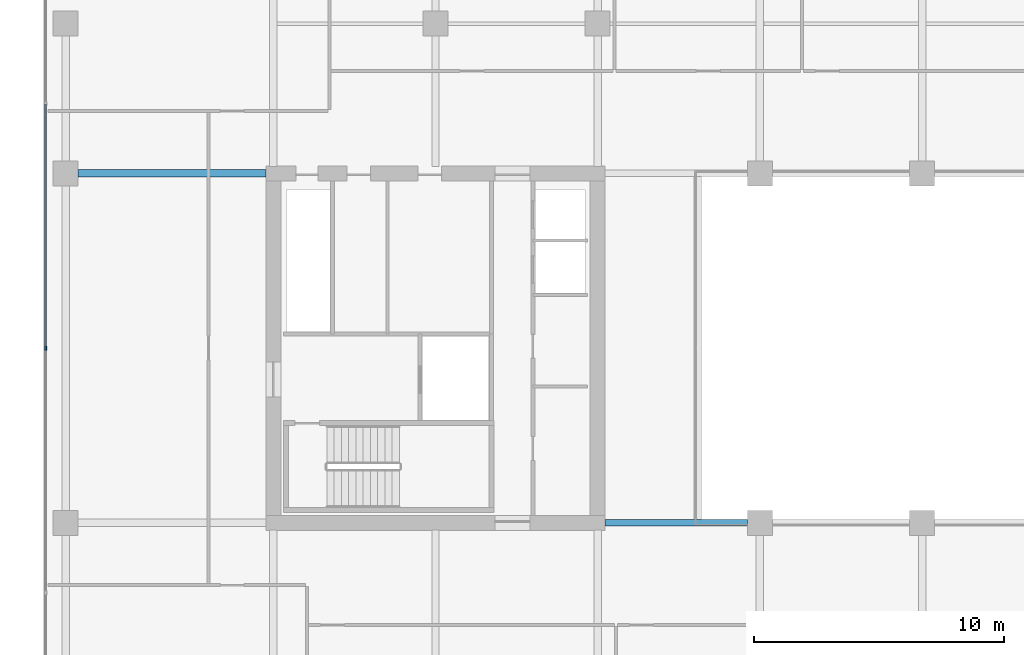
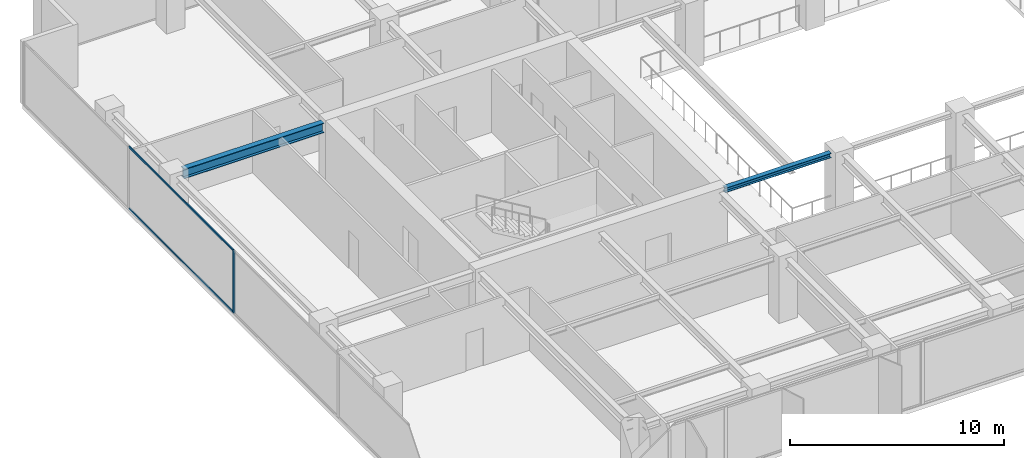
# One storey, part 4 of 22: 3 members, 2 beams, 1 element without a shape of its own.
"""IFC4 building model written with IfcOpenShell, lengths in metres."""

import ifcopenshell
import ifcopenshell.guid

model = None  # the IFC model being written
_history = None  # IfcOwnerHistory: only IFC2X3 demands one
_inside = {}  # id of a spatial element -> (the spatial element, [elements in it])
_under = {}  # id of a project, library or spatial element -> (it, [spatial elements below it])
_declared = {}  # id of a project -> (the project, [libraries it declares])
_typed = {}  # id of a type object -> (the type object, [elements of that type])
_made_of = {}  # id of a material, layer set ... -> (it, [elements and type objects made of it])


def new_model(schema):
    """Start an empty IFC model of exactly this schema.

    Asked for "IFC4X3", IfcOpenShell would pick the latest addendum, in which some entities
    have other attributes; the version numbers below select the first issue.
    IFC2X3 requires an IfcOwnerHistory on every rooted entity: one is made here for all.
    """
    global model, _history
    if schema == "IFC4X3":
        model = ifcopenshell.file(schema_version=(4, 3, 0, 0))
    else:
        model = ifcopenshell.file(schema=schema)
    _inside.clear()
    _under.clear()
    _declared.clear()
    _typed.clear()
    _made_of.clear()
    _history = None
    if model.schema == "IFC2X3":
        org = make("IfcOrganization", Name="unknown")
        user = make(
            "IfcPersonAndOrganization",
            ThePerson=make("IfcPerson", FamilyName="unknown"),
            TheOrganization=org,
        )
        app = make(
            "IfcApplication",
            ApplicationDeveloper=org,
            Version="unknown",
            ApplicationFullName="unknown",
            ApplicationIdentifier="unknown",
        )
        _history = make(
            "IfcOwnerHistory",
            OwningUser=user,
            OwningApplication=app,
            ChangeAction="ADDED",
            CreationDate=0,
        )
    return model


def make(cls, **values):
    """One entity of the class cls with the attributes given. An attribute that is None is left unset."""
    return model.create_entity(
        cls, **{name: value for name, value in values.items() if value is not None}
    )


def rooted(cls, **values):
    """An entity with a GlobalId (a new one), such as an element, a storey or a relation."""
    return make(cls, GlobalId=ifcopenshell.guid.new(), OwnerHistory=_history, **values)


def si_unit(unit_type, name, prefix=None):
    """IfcSIUnit, for example si_unit("LENGTHUNIT", "METRE", prefix="MILLI")."""
    return make("IfcSIUnit", UnitType=unit_type, Prefix=prefix, Name=name)


def assignment(units):
    """IfcUnitAssignment: the units of a project."""
    return None if units is None else make("IfcUnitAssignment", Units=units)


def point(xyz):
    """IfcCartesianPoint."""
    return None if xyz is None else make("IfcCartesianPoint", Coordinates=xyz)


def direction(xyz):
    """IfcDirection."""
    return None if xyz is None else make("IfcDirection", DirectionRatios=xyz)


def frame(location, z_axis=None, x_axis=None):
    """IfcAxis2Placement3D, a coordinate frame: its origin and axes. An axis left out is left unset."""
    return make(
        "IfcAxis2Placement3D",
        Location=point(location),
        Axis=direction(z_axis),
        RefDirection=direction(x_axis),
    )


def frame_2d(location, x_axis=None):
    """IfcAxis2Placement2D, a coordinate frame in the plane: its origin and x axis."""
    return make(
        "IfcAxis2Placement2D", Location=point(location), RefDirection=direction(x_axis)
    )


def origin():
    """The frame at (0, 0, 0) with its axes left unset."""
    return frame((0.0, 0.0, 0.0))


def origin_2d():
    """The frame at (0, 0) in the plane with its x axis left unset."""
    return frame_2d((0.0, 0.0))


def place(relative_to, where):
    """IfcLocalPlacement: puts the frame where relative to a parent placement (None: the world)."""
    return make(
        "IfcLocalPlacement", PlacementRelTo=relative_to, RelativePlacement=where
    )


def context(
    kind, dimensions, precision=None, world=None, true_north=None, identifier=None
):
    """IfcGeometricRepresentationContext, for example the 3D "Model" context."""
    return make(
        "IfcGeometricRepresentationContext",
        ContextIdentifier=identifier,
        ContextType=kind,
        CoordinateSpaceDimension=dimensions,
        Precision=precision,
        WorldCoordinateSystem=world,
        TrueNorth=true_north,
    )


def subcontext(parent, identifier, kind, view, scale=None):
    """IfcGeometricRepresentationSubContext, for example "Body" below "Model"."""
    return make(
        "IfcGeometricRepresentationSubContext",
        ContextIdentifier=identifier,
        ContextType=kind,
        ParentContext=parent,
        TargetScale=scale,
        TargetView=view,
    )


def project(units=None, contexts=None):
    """IfcProject with its units and contexts."""
    return rooted(
        "IfcProject",
        Name="project",
        RepresentationContexts=contexts,
        UnitsInContext=assignment(units),
    )


def spatial(cls, under=None, at=None, **own):
    """A site, building, storey or space (cls), placed at a placement, below another one or the project."""
    s = rooted(cls, ObjectPlacement=at, **own)
    if under is not None:
        _under.setdefault(under.id(), (under, []))[1].append(s)
    return s


def profile(cls, at=None, kind="AREA", **sizes):
    """A parametric profile (cls). Its sizes go by their IFC names, for example OverallWidth=200.0."""
    return make(cls, ProfileType=kind, Position=at, **sizes)


def rectangle(**sizes):
    """IfcRectangleProfileDef."""
    return profile("IfcRectangleProfileDef", **sizes)


def i_section(**sizes):
    """IfcIShapeProfileDef."""
    return profile("IfcIShapeProfileDef", **sizes)


def extrude(swept, where, along, depth):
    """IfcExtrudedAreaSolid: the profile swept, set in the frame where, extruded along a direction by depth."""
    return make(
        "IfcExtrudedAreaSolid",
        SweptArea=swept,
        Position=where,
        ExtrudedDirection=direction(along),
        Depth=depth,
    )


def shape(context_of_items, identifier, shape_type, items):
    """IfcShapeRepresentation: the items that make up one representation, for example the "Body"."""
    return make(
        "IfcShapeRepresentation",
        ContextOfItems=context_of_items,
        RepresentationIdentifier=identifier,
        RepresentationType=shape_type,
        Items=items,
    )


def material(Name=None, Category=None):
    """IfcMaterial."""
    return make("IfcMaterial", Name=Name, Category=Category)


def layer(
    of_material, thickness, ventilated=None, Name=None, Category=None, Priority=None
):
    """IfcMaterialLayer: one layer of a wall or slab, of a material (None: an air gap)."""
    return make(
        "IfcMaterialLayer",
        Material=of_material,
        LayerThickness=thickness,
        IsVentilated=ventilated,
        Name=Name,
        Category=Category,
        Priority=Priority,
    )


def layer_set(layers, Name=None):
    """IfcMaterialLayerSet."""
    return make("IfcMaterialLayerSet", MaterialLayers=layers, LayerSetName=Name)


def material_profile(
    of_material, cross_section, Name=None, Category=None, Priority=None
):
    """IfcMaterialProfile: a cross section and its material."""
    return make(
        "IfcMaterialProfile",
        Name=Name,
        Material=of_material,
        Profile=cross_section,
        Priority=Priority,
        Category=Category,
    )


def profile_set(profiles, Name=None, composite=None):
    """IfcMaterialProfileSet."""
    return make(
        "IfcMaterialProfileSet",
        Name=Name,
        MaterialProfiles=profiles,
        CompositeProfile=composite,
    )


def made_of(thing, what):
    """Note that an element or type object is made of a material, layer set ...; save() writes the relation."""
    if what is not None:
        _made_of.setdefault(what.id(), (what, []))[1].append(thing)
    return thing


def type_object(cls, material=None, **own):
    """A type object (cls), such as IfcWallType, which elements share."""
    return made_of(rooted(cls, **own), material)


def element(
    cls,
    number,
    at=None,
    inside=None,
    cuts=None,
    type_object=None,
    material=None,
    context=None,
    identifier="Body",
    shape_type=None,
    held_by="IfcProductDefinitionShape",
    body=None,
    shapes=None,
    **own,
):
    """One element of the class cls, such as IfcWall. Its Tag is "e" and its number.

    at: its placement. inside: the storey or other place that contains it. cuts: it is an
    opening in that element (IfcRelVoidsElement). A single representation is given by context,
    identifier, shape_type and body (its items); several are given by shapes. held_by: the class
    of the entity that holds the representations. save() writes the other relations.
    """
    e = rooted(cls, Tag="e%d" % number, ObjectPlacement=at, **own)
    if body is not None:
        shapes = [shape(context, identifier, shape_type, body)]
    if shapes is not None:
        e.Representation = make(held_by, Representations=shapes)
    if inside is not None:
        _inside.setdefault(inside.id(), (inside, []))[1].append(e)
    if cuts is not None:
        rooted(
            "IfcRelVoidsElement", RelatingBuildingElement=cuts, RelatedOpeningElement=e
        )
    if type_object is not None:
        _typed.setdefault(type_object.id(), (type_object, []))[1].append(e)
    return made_of(e, material)


def aggregate(whole, parts):
    """IfcRelAggregates: a whole, such as a stair, and the parts it consists of."""
    return rooted("IfcRelAggregates", RelatingObject=whole, RelatedObjects=parts)


def save(model, path):
    """Write the relations noted so far, then the file.

    IfcRelAggregates (storeys below a building ...), IfcRelContainedInSpatialStructure (elements
    in a storey), IfcRelDefinesByType, IfcRelAssociatesMaterial and IfcRelDeclares: one each for
    every whole, place, type object, material and project.
    """
    for whole, parts in _under.values():
        aggregate(whole, parts)
    for where, things in _inside.values():
        rooted(
            "IfcRelContainedInSpatialStructure",
            RelatedElements=things,
            RelatingStructure=where,
        )
    for kind, things in _typed.values():
        rooted("IfcRelDefinesByType", RelatedObjects=things, RelatingType=kind)
    for what, things in _made_of.values():
        rooted("IfcRelAssociatesMaterial", RelatedObjects=things, RelatingMaterial=what)
    for by, libraries in _declared.values():
        rooted("IfcRelDeclares", RelatingContext=by, RelatedDefinitions=libraries)
    model.write(path)


model = new_model("IFC4")

# Units and contexts
model_context = context("Model", 3, precision=1e-05, world=origin(), true_north=direction((0.0, 1.0)))
body_context = subcontext(model_context, "Body", "Model", "MODEL_VIEW")
ifc_project = project(units=[si_unit("LENGTHUNIT", "METRE"), si_unit("AREAUNIT", "SQUARE_METRE"), si_unit("VOLUMEUNIT", "CUBIC_METRE"), si_unit("PLANEANGLEUNIT", "RADIAN"), si_unit("MASSUNIT", "GRAM", prefix="KILO")], contexts=[model_context])

# Site, building, storey
site_placement = place(None, origin())
site = spatial("IfcSite", under=ifc_project, at=site_placement, CompositionType="ELEMENT")
building_placement = place(site_placement, origin())
building = spatial("IfcBuilding", under=site, at=building_placement, Name="Putna Gate Headquarters", CompositionType="ELEMENT")
storey_placement = place(building_placement, frame((0.0, 0.0, 163.199951171875)))
storey = spatial("IfcBuildingStorey", under=building, at=storey_placement, Name="L40", CompositionType="ELEMENT", Elevation=163.199951171875)

# Beams
ifc_material_1 = material(Name="Steel S355J2", Category="steel")
ifc_material_profile_1 = material_profile(ifc_material_1, i_section(OverallWidth=0.260009765625, OverallDepth=0.260009765625, WebThickness=0.010009765625, FlangeThickness=0.017578125, at=origin_2d()), Name="Steel S355J2")
ifc_profile_set_1 = profile_set([ifc_material_profile_1], Name="Steel S355J2")
beam_type_1 = type_object("IfcBeamType", Name="BM-ATRIUM-HEB260", PredefinedType="BEAM", material=ifc_profile_set_1)
beam_1_placement = place(storey_placement, frame((26.284912109375, 19.0, 3.442138671875), z_axis=(1.0, 0.0, 0.0), x_axis=(0.0, 1.0, 0.0)))
element("IfcBeam", 1, at=beam_1_placement, inside=storey, type_object=beam_type_1, Name="L40 Atrium Edge Beam AS1", PredefinedType="BEAM", context=body_context, shape_type="SweptSolid", body=[
    extrude(i_section(OverallWidth=0.260009765625, OverallDepth=0.260009765625, WebThickness=0.010009765625, FlangeThickness=0.017578125, at=origin_2d()), origin(), (0.0, 0.0, 1.0), 5.72705078125),
])
ifc_material_profile_2 = material_profile(ifc_material_1, i_section(OverallWidth=0.300048828125, OverallDepth=0.550048828125, WebThickness=0.014892578125, FlangeThickness=0.029052734375, at=origin_2d()), Name="Steel S355J2")
ifc_profile_set_2 = profile_set([ifc_material_profile_2], Name="Steel S355J2")
beam_type_2 = type_object("IfcBeamType", Name="BM-GIRD-Z3-HEB550", PredefinedType="USERDEFINED", material=ifc_profile_set_2)
beam_2_placement = place(storey_placement, frame((5.16796875, 33.0, 3.297119140625), z_axis=(1.0, 0.0, 0.0), x_axis=(0.0, 1.0, 0.0)))
element("IfcBeam", 2, at=beam_2_placement, inside=storey, type_object=beam_type_2, Name="L40 West Wing Girder Y33", ObjectType="GIRDER", PredefinedType="USERDEFINED", context=body_context, shape_type="SweptSolid", body=[
    extrude(i_section(OverallWidth=0.300048828125, OverallDepth=0.550048828125, WebThickness=0.014892578125, FlangeThickness=0.029052734375, at=origin_2d()), origin(), (0.0, 0.0, 1.0), 7.547119140625),
])

# Curtain wall, members
ifc_material_2 = material(Name="Anodised bronze aluminium curtain wall", Category="aluminium")
ifc_layer = layer(ifc_material_2, 0.159912109375)
ifc_layer_set = layer_set([ifc_layer], Name="Anodised bronze aluminium curtain wall")
curtain_wall_type = type_object("IfcCurtainWallType", Name="CW-SYS-Z3", PredefinedType="USERDEFINED", material=ifc_layer_set)
curtain_wall_placement = place(storey_placement, origin())
curtain_wall = element("IfcCurtainWall", 3, at=curtain_wall_placement, inside=storey, type_object=curtain_wall_type, Name="L40 West Curtain Wall", ObjectType="STICK CURTAIN WALL", PredefinedType="USERDEFINED")
ifc_material_3 = material(Name="Anodised bronze aluminium EN AW-6060", Category="aluminium")
ifc_material_profile_3 = material_profile(ifc_material_3, rectangle(XDim=0.06494140625, YDim=0.159912109375, at=origin_2d()), Name="Anodised bronze aluminium EN AW-6060")
ifc_profile_set_3 = profile_set([ifc_material_profile_3], Name="Anodised bronze aluminium EN AW-6060")
member_type_1 = type_object("IfcMemberType", Name="MULL-CWM-3", PredefinedType="MULLION", material=ifc_profile_set_3)
member_1_placement = place(storey_placement, frame((3.8798828125, 26.0, 0.0), z_axis=(0.0, 0.0, 1.0), x_axis=(-1.0, 0.0, 0.0)))
member_1 = element("IfcMember", 4, at=member_1_placement, type_object=member_type_1, Name="CWS-3 mullion 3", PredefinedType="MULLION", context=body_context, shape_type="SweptSolid", body=[
    extrude(rectangle(XDim=0.06494140625, YDim=0.159912109375, at=origin_2d()), origin(), (0.0, 0.0, 1.0), 3.572021484375),
])
ifc_material_profile_4 = material_profile(ifc_material_3, rectangle(XDim=0.06005859375, YDim=0.10009765625, at=origin_2d()), Name="Anodised bronze aluminium EN AW-6060")
ifc_profile_set_4 = profile_set([ifc_material_profile_4], Name="Anodised bronze aluminium EN AW-6060")
member_type_2 = type_object("IfcMemberType", Name="TRAN-CWT-3", PredefinedType="USERDEFINED", material=ifc_profile_set_4)
member_2_placement = place(storey_placement, frame((3.8798828125, 26.032470703125, 0.030029296875), z_axis=(0.0, 1.0, 0.0), x_axis=(-1.0, 0.0, 0.0)))
member_2 = element("IfcMember", 5, at=member_2_placement, type_object=member_type_2, Name="CWS-3 transom 3.1", ObjectType="TRANSOM", PredefinedType="USERDEFINED", context=body_context, shape_type="SweptSolid", body=[
    extrude(rectangle(XDim=0.06005859375, YDim=0.10009765625, at=origin_2d()), origin(), (0.0, 0.0, 1.0), 9.735107421875),
])
member_3_placement = place(storey_placement, frame((3.8798828125, 26.032470703125, 3.5419921875), z_axis=(0.0, 1.0, 0.0), x_axis=(-1.0, 0.0, 0.0)))
member_3 = element("IfcMember", 6, at=member_3_placement, type_object=member_type_2, Name="CWS-3 transom 3.2", ObjectType="TRANSOM", PredefinedType="USERDEFINED", context=body_context, shape_type="SweptSolid", body=[
    extrude(rectangle(XDim=0.06005859375, YDim=0.10009765625, at=origin_2d()), origin(), (0.0, 0.0, 1.0), 9.735107421875),
])
aggregate(curtain_wall, [member_1, member_2, member_3])

save(model, "model.ifc")
